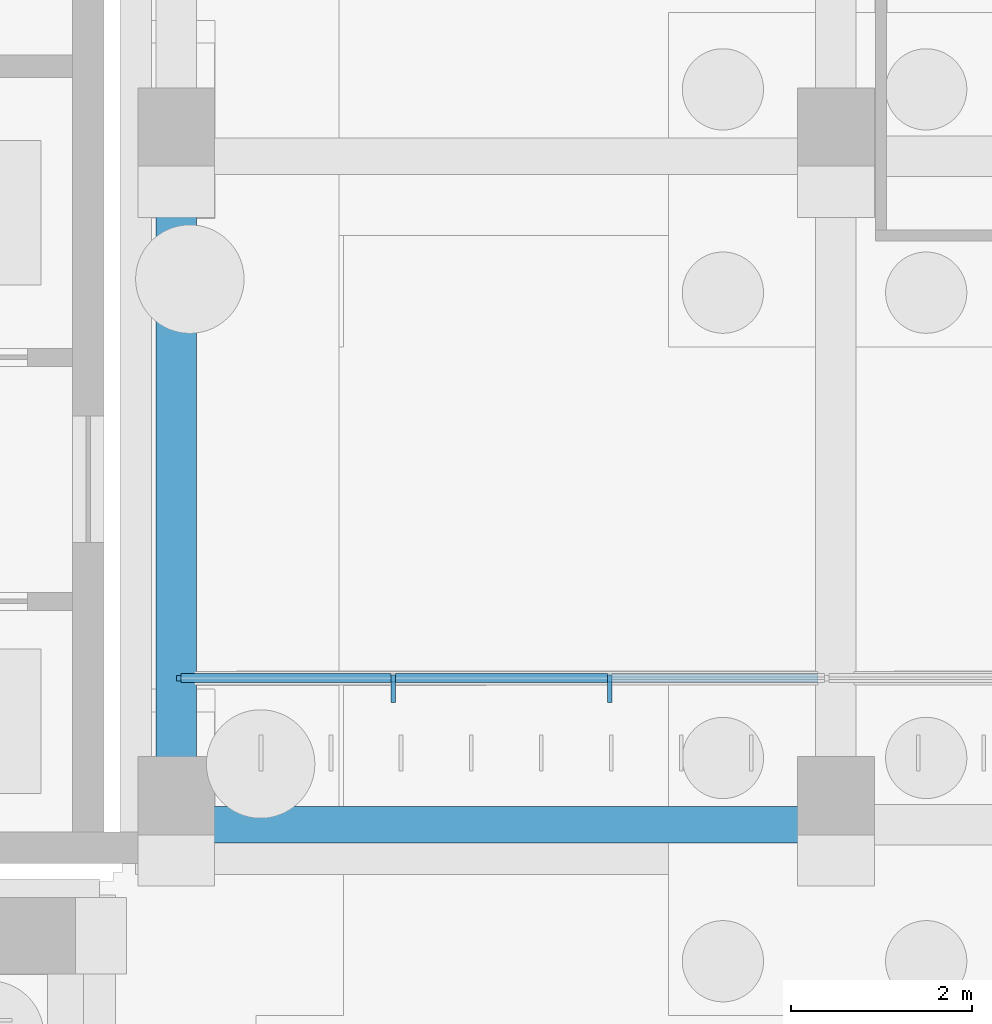
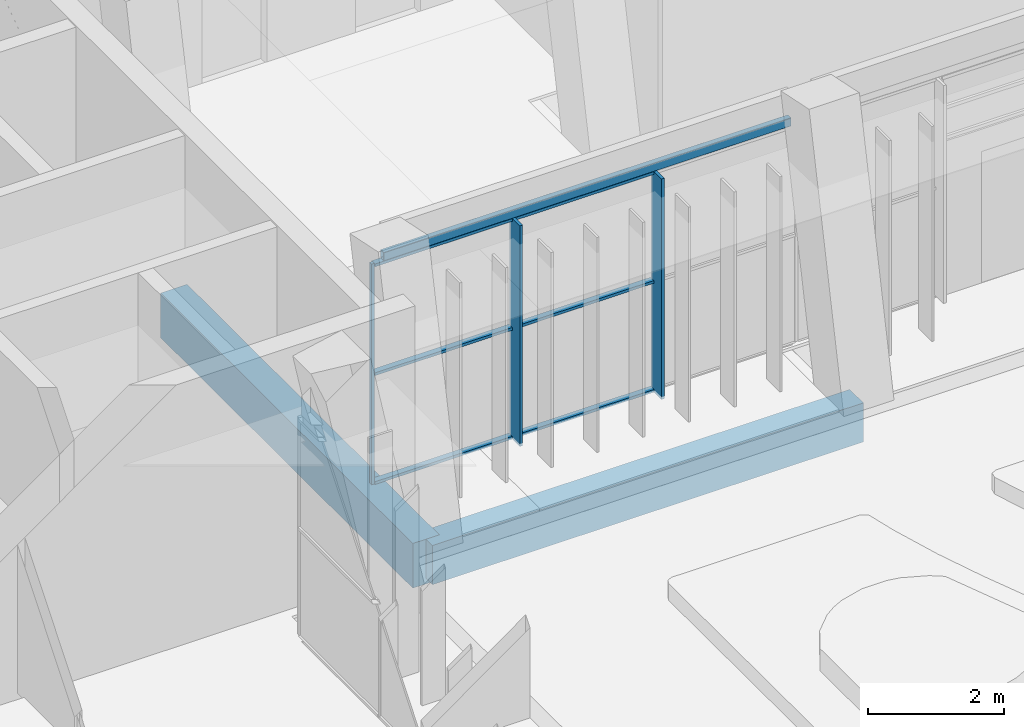
# One storey, part 59 of 144: 9 members, 3 beams, 1 element without a shape of its own.
"""IFC4 building model written with IfcOpenShell, lengths in metres."""

from ifc_helpers import new_model, si_unit, direction, frame, origin, origin_2d, place, context, subcontext, project, spatial, rectangle, hollow_rectangle, extrude, material, material_profile, profile_set, type_object, element, aggregate, save


model = new_model("IFC4")

# Units and contexts
model_context = context("Model", 3, precision=1e-05, world=origin(), true_north=direction((0.0, 1.0)))
body_context = subcontext(model_context, "Body", "Model", "MODEL_VIEW")
ifc_project = project(units=[si_unit("LENGTHUNIT", "METRE"), si_unit("AREAUNIT", "SQUARE_METRE"), si_unit("VOLUMEUNIT", "CUBIC_METRE"), si_unit("PLANEANGLEUNIT", "RADIAN"), si_unit("MASSUNIT", "GRAM", prefix="KILO")], contexts=[model_context])

# Site, building, storey
site_placement = place(None, origin())
site = spatial("IfcSite", under=ifc_project, at=site_placement, CompositionType="ELEMENT")
building_placement = place(site_placement, origin())
building = spatial("IfcBuilding", under=site, at=building_placement, Name="Lantern Court Media Centre", CompositionType="ELEMENT")
storey_placement = place(building_placement, origin())
storey = spatial("IfcBuildingStorey", under=building, at=storey_placement, Name="L00", CompositionType="ELEMENT", Elevation=0.0)

# Curtain wall, members
ifc_material_1 = material(Name="Curtain wall bay 2400")
curtain_wall_type = type_object("IfcCurtainWallType", Name="Curtain wall bay 2400", PredefinedType="NOTDEFINED", material=ifc_material_1)
curtain_wall_placement = place(storey_placement, origin())
curtain_wall = element("IfcCurtainWall", 1, at=curtain_wall_placement, inside=storey, type_object=curtain_wall_type, Name="Curtain wall N inner L00", PredefinedType="NOTDEFINED")
ifc_material_2 = material(Name="Anodised aluminium", Category="aluminium")
ifc_material_profile_1 = material_profile(ifc_material_2, rectangle(XDim=0.300048828125, YDim=0.050048828125, at=origin_2d()), Name="AL 50x300")
ifc_profile_set_1 = profile_set([ifc_material_profile_1], Name="Anodised aluminium")
member_type_1 = type_object("IfcMemberType", Name="Curtain wall mullion 50x300", PredefinedType="MULLION", material=ifc_profile_set_1)
member_1_placement = place(storey_placement, frame((27.10009765625, 98.030029296875, 0.0), z_axis=(0.0, 0.0, 1.0), x_axis=(0.0, 1.0, 0.0)))
member_1 = element("IfcMember", 2, at=member_1_placement, type_object=member_type_1, Name="CW2 mullion 2", PredefinedType="MULLION", context=body_context, shape_type="SweptSolid", body=[
    extrude(rectangle(XDim=0.300048828125, YDim=0.050048828125, at=origin_2d()), origin(), (0.0, 0.0, 1.0), 3.949951171875),
])
member_2_placement = place(storey_placement, frame((29.5, 98.030029296875, 0.0), z_axis=(0.0, 0.0, 1.0), x_axis=(0.0, 1.0, 0.0)))
member_2 = element("IfcMember", 3, at=member_2_placement, type_object=member_type_1, Name="CW2 mullion 3", PredefinedType="MULLION", context=body_context, shape_type="SweptSolid", body=[
    extrude(rectangle(XDim=0.300048828125, YDim=0.050048828125, at=origin_2d()), origin(), (0.0, 0.0, 1.0), 3.949951171875),
])
ifc_material_profile_2 = material_profile(ifc_material_2, rectangle(XDim=0.06005859375, YDim=0.050048828125, at=origin_2d()), Name="AL 50x60")
ifc_profile_set_2 = profile_set([ifc_material_profile_2], Name="Anodised aluminium")
member_type_2 = type_object("IfcMemberType", Name="Curtain wall mullion 50x60", PredefinedType="MULLION", material=ifc_profile_set_2)
member_3_placement = place(storey_placement, frame((24.72509765625, 98.14990234375, 0.0), z_axis=(0.0, 0.0, 1.0), x_axis=(0.0, 1.0, 0.0)))
member_3 = element("IfcMember", 4, at=member_3_placement, type_object=member_type_2, Name="CW2 mullion 1", PredefinedType="MULLION", context=body_context, shape_type="SweptSolid", body=[
    extrude(rectangle(XDim=0.06005859375, YDim=0.050048828125, at=origin_2d()), origin(), (0.0, 0.0, 1.0), 3.949951171875),
])
ifc_material_profile_3 = material_profile(ifc_material_2, rectangle(XDim=0.10009765625, YDim=0.050048828125, at=origin_2d()), Name="AL 50x100")
ifc_profile_set_3 = profile_set([ifc_material_profile_3], Name="Anodised aluminium")
member_type_3 = type_object("IfcMemberType", Name="Curtain wall transom 100x50", PredefinedType="USERDEFINED", material=ifc_profile_set_3)
member_4_placement = place(storey_placement, frame((24.75, 98.14990234375, 0.02490234375), z_axis=(1.0, 0.0, 0.0), x_axis=(0.0, 1.0, 0.0)))
member_4 = element("IfcMember", 5, at=member_4_placement, type_object=member_type_3, Name="CW2 transom 1.1", ObjectType="TRANSOM", PredefinedType="USERDEFINED", context=body_context, shape_type="SweptSolid", body=[
    extrude(rectangle(XDim=0.10009765625, YDim=0.050048828125, at=origin_2d()), origin(), (0.0, 0.0, 1.0), 2.324951171875),
])
member_5_placement = place(storey_placement, frame((24.75, 98.14990234375, 1.97509765625), z_axis=(1.0, 0.0, 0.0), x_axis=(0.0, 1.0, 0.0)))
member_5 = element("IfcMember", 6, at=member_5_placement, type_object=member_type_3, Name="CW2 transom 1.2", ObjectType="TRANSOM", PredefinedType="USERDEFINED", context=body_context, shape_type="SweptSolid", body=[
    extrude(rectangle(XDim=0.10009765625, YDim=0.050048828125, at=origin_2d()), origin(), (0.0, 0.0, 1.0), 2.324951171875),
])
member_6_placement = place(storey_placement, frame((24.75, 98.14990234375, 3.925048828125), z_axis=(1.0, 0.0, 0.0), x_axis=(0.0, 1.0, 0.0)))
member_6 = element("IfcMember", 7, at=member_6_placement, type_object=member_type_3, Name="CW2 transom 1.3", ObjectType="TRANSOM", PredefinedType="USERDEFINED", context=body_context, shape_type="SweptSolid", body=[
    extrude(rectangle(XDim=0.10009765625, YDim=0.050048828125, at=origin_2d()), origin(), (0.0, 0.0, 1.0), 2.324951171875),
])
member_7_placement = place(storey_placement, frame((27.125, 98.14990234375, 0.02490234375), z_axis=(1.0, 0.0, 0.0), x_axis=(0.0, 1.0, 0.0)))
member_7 = element("IfcMember", 8, at=member_7_placement, type_object=member_type_3, Name="CW2 transom 2.1", ObjectType="TRANSOM", PredefinedType="USERDEFINED", context=body_context, shape_type="SweptSolid", body=[
    extrude(rectangle(XDim=0.10009765625, YDim=0.050048828125, at=origin_2d()), origin(), (0.0, 0.0, 1.0), 2.35009765625),
])
member_8_placement = place(storey_placement, frame((27.125, 98.14990234375, 1.97509765625), z_axis=(1.0, 0.0, 0.0), x_axis=(0.0, 1.0, 0.0)))
member_8 = element("IfcMember", 9, at=member_8_placement, type_object=member_type_3, Name="CW2 transom 2.2", ObjectType="TRANSOM", PredefinedType="USERDEFINED", context=body_context, shape_type="SweptSolid", body=[
    extrude(rectangle(XDim=0.10009765625, YDim=0.050048828125, at=origin_2d()), origin(), (0.0, 0.0, 1.0), 2.35009765625),
])
member_9_placement = place(storey_placement, frame((27.125, 98.14990234375, 3.925048828125), z_axis=(1.0, 0.0, 0.0), x_axis=(0.0, 1.0, 0.0)))
member_9 = element("IfcMember", 10, at=member_9_placement, type_object=member_type_3, Name="CW2 transom 2.3", ObjectType="TRANSOM", PredefinedType="USERDEFINED", context=body_context, shape_type="SweptSolid", body=[
    extrude(rectangle(XDim=0.10009765625, YDim=0.050048828125, at=origin_2d()), origin(), (0.0, 0.0, 1.0), 2.35009765625),
])
aggregate(curtain_wall, [member_3, member_1, member_2, member_4, member_5, member_6, member_7, member_8, member_9])

# Beams
ifc_material_3 = material(Name="Steel S355J2 (EN 10025-2)", Category="steel")
ifc_material_profile_4 = material_profile(ifc_material_3, hollow_rectangle(XDim=0.10009765625, YDim=0.14990234375, WallThickness=0.00634765625, InnerFilletRadius=0.00634765625, OuterFilletRadius=0.009521484375, at=origin_2d()), Name="Facade head lintel RHS 150x100x6.3")
ifc_profile_set_4 = profile_set([ifc_material_profile_4], Name="Steel S355J2 (EN 10025-2)")
beam_type_1 = type_object("IfcBeamType", Name="Facade head lintel RHS 150x100x6.3", PredefinedType="BEAM", material=ifc_profile_set_4)
beam_1_placement = place(storey_placement, frame((24.89990234375, 98.14990234375, 4.02490234375), z_axis=(1.0, 0.0, 0.0), x_axis=(0.0, 1.0, 0.0)))
element("IfcBeam", 11, at=beam_1_placement, inside=storey, type_object=beam_type_1, Name="Facade head lintel N L00", PredefinedType="BEAM", context=body_context, shape_type="SweptSolid", body=[
    extrude(hollow_rectangle(XDim=0.10009765625, YDim=0.14990234375, WallThickness=0.00634765625, InnerFilletRadius=0.00634765625, OuterFilletRadius=0.009521484375, at=origin_2d()), origin(), (0.0, 0.0, 1.0), 6.900146484375),
])
ifc_material_4 = material(Name="Concrete C35", Category="concrete")
ifc_material_profile_5 = material_profile(ifc_material_4, rectangle(XDim=0.39990234375, YDim=0.699951171875, at=origin_2d()), Name="RC 400x700")
ifc_profile_set_5 = profile_set([ifc_material_profile_5], Name="Concrete C35")
beam_type_2 = type_object("IfcBeamType", Name="RC BEAM 400x700", PredefinedType="BEAM", material=ifc_profile_set_5)
beam_2_placement = place(storey_placement, frame((24.699951171875, 96.527099609375, -0.35009765625), z_axis=(1.0, 0.0, 0.0), x_axis=(0.0, 1.0, 0.0)))
element("IfcBeam", 12, at=beam_2_placement, inside=storey, type_object=beam_type_2, Name="LB-N-L00-0-0", PredefinedType="BEAM", context=body_context, shape_type="SweptSolid", body=[
    extrude(rectangle(XDim=0.39990234375, YDim=0.699951171875, at=origin_2d()), origin(), (0.0, 0.0, 1.0), 7.300048828125),
])
ifc_material_profile_6 = material_profile(ifc_material_4, rectangle(XDim=0.449951171875, YDim=0.800048828125, at=origin_2d()), Name="RC 450x800")
ifc_profile_set_6 = profile_set([ifc_material_profile_6], Name="Concrete C35")
beam_type_3 = type_object("IfcBeamType", Name="RC BEAM 450x800", PredefinedType="BEAM", material=ifc_profile_set_6)
beam_3_placement = place(storey_placement, frame((24.699951171875, 96.5166015625, -0.39990234375), z_axis=(0.0, 1.0, 0.0), x_axis=(-1.0, 0.0, 0.0)))
element("IfcBeam", 13, at=beam_3_placement, inside=storey, type_object=beam_type_3, Name="TB-N-L00-0-1", PredefinedType="BEAM", context=body_context, shape_type="SweptSolid", body=[
    extrude(rectangle(XDim=0.449951171875, YDim=0.800048828125, at=origin_2d()), origin(), (0.0, 0.0, 1.0), 7.400146484375),
])

save(model, "model.ifc")
